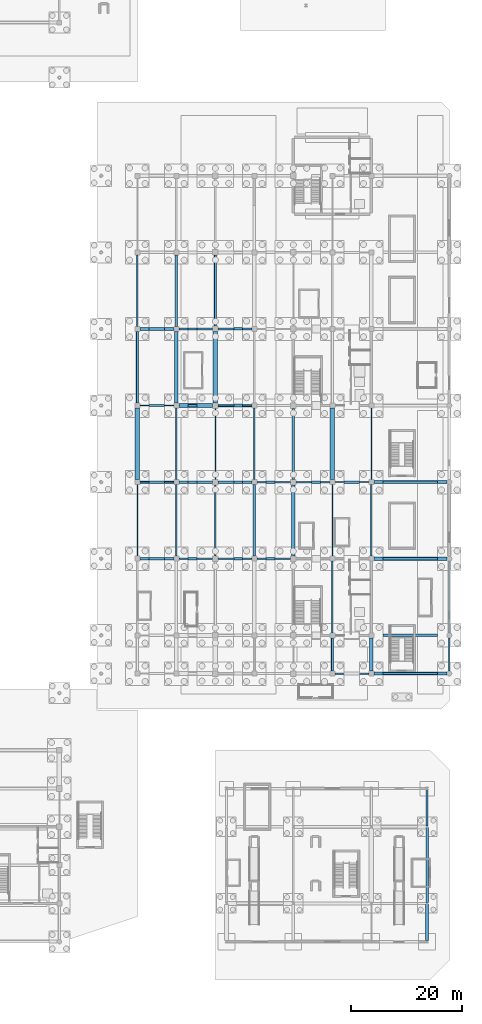
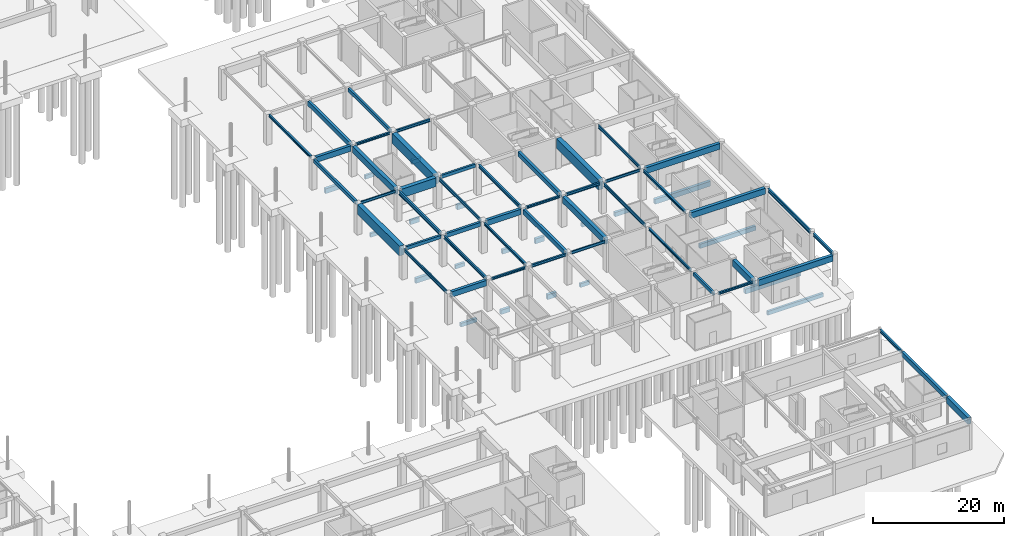
# One storey, part 33 of 62: 68 beams.
"""IFC4 building model written with IfcOpenShell, lengths in metres."""

from ifc_helpers import new_model, si_unit, direction, frame, origin, origin_2d, place, context, subcontext, project, spatial, rectangle, i_section, extrude, material, material_profile, profile_set, type_object, element, save


model = new_model("IFC4")

# Units and contexts
model_context = context("Model", 3, precision=1e-05, world=origin(), true_north=direction((0.0, 1.0)))
body_context = subcontext(model_context, "Body", "Model", "MODEL_VIEW")
ifc_project = project(units=[si_unit("LENGTHUNIT", "METRE"), si_unit("AREAUNIT", "SQUARE_METRE"), si_unit("VOLUMEUNIT", "CUBIC_METRE"), si_unit("PLANEANGLEUNIT", "RADIAN"), si_unit("MASSUNIT", "GRAM", prefix="KILO")], contexts=[model_context])

# Site, building, storey
site_placement = place(None, origin())
site = spatial("IfcSite", under=ifc_project, at=site_placement, CompositionType="ELEMENT")
building_placement = place(site_placement, origin())
building = spatial("IfcBuilding", under=site, at=building_placement, Name="Linyun Crest Stadium", CompositionType="ELEMENT")
storey_placement = place(building_placement, frame((0.0, 0.0, -6.0)))
storey = spatial("IfcBuildingStorey", under=building, at=storey_placement, Name="B1", CompositionType="ELEMENT", Elevation=-6.0)

# Beams
ifc_material_1 = material(Name="Concrete C40", Category="concrete")
ifc_material_profile_1 = material_profile(ifc_material_1, rectangle(XDim=0.35009765625, YDim=0.60009765625, at=origin_2d()), Name="RCB 600x350")
ifc_profile_set_1 = profile_set([ifc_material_profile_1], Name="Concrete C40")
beam_type_1 = type_object("IfcBeamType", Name="B01", PredefinedType="BEAM", material=ifc_profile_set_1)
beam_1_placement = place(storey_placement, frame((42.449951171875, -11.625, 5.419921875), z_axis=(1.0, 0.0, 0.0), x_axis=(0.0, 1.0, 0.0)))
element("IfcBeam", 1, at=beam_1_placement, inside=storey, type_object=beam_type_1, Name="Frame beam B01 B1 396", PredefinedType="BEAM", context=body_context, shape_type="SweptSolid", body=[
    extrude(rectangle(XDim=0.35009765625, YDim=0.60009765625, at=origin_2d()), origin(), (0.0, 0.0, 1.0), 6.10009765625),
])
beam_2_placement = place(storey_placement, frame((56.5, 2.125, 5.419921875), z_axis=(1.0, 0.0, 0.0), x_axis=(0.0, 1.0, 0.0)))
element("IfcBeam", 2, at=beam_2_placement, inside=storey, type_object=beam_type_1, Name="Frame beam B01 B1 405", PredefinedType="BEAM", context=body_context, shape_type="SweptSolid", body=[
    extrude(rectangle(XDim=0.35009765625, YDim=0.60009765625, at=origin_2d()), origin(), (0.0, 0.0, 1.0), 6.050048828125),
])
ifc_material_2 = material(Name="Concrete C40", Category="concrete")
ifc_material_profile_2 = material_profile(ifc_material_2, rectangle(XDim=0.35009765625, YDim=0.64990234375, at=origin_2d()), Name="RCB 650x350")
ifc_profile_set_2 = profile_set([ifc_material_profile_2], Name="Concrete C40")
beam_type_2 = type_object("IfcBeamType", Name="B02", PredefinedType="BEAM", material=ifc_profile_set_2)
beam_3_placement = place(storey_placement, frame((42.0, 2.574951171875, 5.39501953125), z_axis=(0.0, 1.0, 0.0), x_axis=(-1.0, 0.0, 0.0)))
element("IfcBeam", 3, at=beam_3_placement, inside=storey, type_object=beam_type_2, Name="Frame beam B02 B1 429", PredefinedType="BEAM", context=body_context, shape_type="SweptSolid", body=[
    extrude(rectangle(XDim=0.35009765625, YDim=0.64990234375, at=origin_2d()), origin(), (0.0, 0.0, 1.0), 12.85009765625),
])
beam_4_placement = place(storey_placement, frame((56.0, 16.375, 5.39501953125), z_axis=(0.0, 1.0, 0.0), x_axis=(-1.0, 0.0, 0.0)))
element("IfcBeam", 4, at=beam_4_placement, inside=storey, type_object=beam_type_2, Name="Frame beam B02 B1 444", PredefinedType="BEAM", context=body_context, shape_type="SweptSolid", body=[
    extrude(rectangle(XDim=0.35009765625, YDim=0.64990234375, at=origin_2d()), origin(), (0.0, 0.0, 1.0), 12.75),
])
beam_5_placement = place(storey_placement, frame((77.0, -45.550048828125, 5.39501953125), z_axis=(0.0, 1.0, 0.0), x_axis=(-1.0, 0.0, 0.0)))
element("IfcBeam", 5, at=beam_5_placement, inside=storey, type_object=beam_type_2, Name="Frame beam B02 B1 457", PredefinedType="BEAM", context=body_context, shape_type="SweptSolid", body=[
    extrude(rectangle(XDim=0.35009765625, YDim=0.64990234375, at=origin_2d()), origin(), (0.0, 0.0, 1.0), 5.97509765625),
])
ifc_material_3 = material(Name="Concrete C40", Category="concrete")
ifc_material_profile_3 = material_profile(ifc_material_3, rectangle(XDim=0.39990234375, YDim=0.75, at=origin_2d()), Name="RCB 750x400")
ifc_profile_set_3 = profile_set([ifc_material_profile_3], Name="Concrete C40")
beam_type_3 = type_object("IfcBeamType", Name="B03", PredefinedType="BEAM", material=ifc_profile_set_3)
beam_6_placement = place(storey_placement, frame((49.449951171875, -11.625, 5.344970703125), z_axis=(1.0, 0.0, 0.0), x_axis=(0.0, 1.0, 0.0)))
element("IfcBeam", 6, at=beam_6_placement, inside=storey, type_object=beam_type_3, Name="Frame beam B03 B1 397", PredefinedType="BEAM", context=body_context, shape_type="SweptSolid", body=[
    extrude(rectangle(XDim=0.39990234375, YDim=0.75, at=origin_2d()), origin(), (0.0, 0.0, 1.0), 6.050048828125),
])
ifc_material_4 = material(Name="Concrete C40", Category="concrete")
ifc_material_profile_4 = material_profile(ifc_material_4, rectangle(XDim=0.449951171875, YDim=0.85009765625, at=origin_2d()), Name="RCB 850x450")
ifc_profile_set_4 = profile_set([ifc_material_profile_4], Name="Concrete C40")
beam_type_4 = type_object("IfcBeamType", Name="B04", PredefinedType="BEAM", material=ifc_profile_set_4)
for number, where, z_axis, x_axis, name in (
    (7, (49.0, 16.324951171875, 5.294921875), (0.0, 1.0, 0.0), (-1.0, 0.0, 0.0), "Frame beam B04 B1 437"),
    (8, (63.0, -24.925048828125, 5.294921875), (0.0, 1.0, 0.0), (-1.0, 0.0, 0.0), "Frame beam B04 B1 448"),
):
    element("IfcBeam", number, at=place(storey_placement, frame(where, z_axis=z_axis, x_axis=x_axis)), inside=storey, type_object=beam_type_4, Name=name, PredefinedType="BEAM", context=body_context, shape_type="SweptSolid", body=[
        extrude(rectangle(XDim=0.449951171875, YDim=0.85009765625, at=origin_2d()), origin(), (0.0, 0.0, 1.0), 12.85009765625),
    ])
beam_7_placement = place(storey_placement, frame((70.0, -11.125, 5.294921875), z_axis=(0.0, 1.0, 0.0), x_axis=(-1.0, 0.0, 0.0)))
element("IfcBeam", 9, at=beam_7_placement, inside=storey, type_object=beam_type_4, Name="Frame beam B04 B1 455", PredefinedType="BEAM", context=body_context, shape_type="SweptSolid", body=[
    extrude(rectangle(XDim=0.449951171875, YDim=0.85009765625, at=origin_2d()), origin(), (0.0, 0.0, 1.0), 12.75),
])
beam_8_placement = place(storey_placement, frame((94.0, -87.125, 5.35498046875), z_axis=(0.0, 1.0, 0.0), x_axis=(-1.0, 0.0, 0.0)))
element("IfcBeam", 10, at=beam_8_placement, inside=storey, type_object=beam_type_4, Name="Frame beam B04 B1 1033", PredefinedType="BEAM", context=body_context, shape_type="SweptSolid", body=[
    extrude(rectangle(XDim=0.449951171875, YDim=0.85009765625, at=origin_2d()), origin(), (0.0, 0.0, 1.0), 13.5),
])
ifc_material_5 = material(Name="Concrete C40", Category="concrete")
ifc_material_profile_5 = material_profile(ifc_material_5, rectangle(XDim=0.5, YDim=1.0, at=origin_2d()), Name="RCB 1000x500")
ifc_profile_set_5 = profile_set([ifc_material_profile_5], Name="Concrete C40")
beam_type_5 = type_object("IfcBeamType", Name="B05", PredefinedType="BEAM", material=ifc_profile_set_5)
beam_9_placement = place(storey_placement, frame((42.449951171875, -25.375, 5.219970703125), z_axis=(1.0, 0.0, 0.0), x_axis=(0.0, 1.0, 0.0)))
element("IfcBeam", 11, at=beam_9_placement, inside=storey, type_object=beam_type_5, Name="Frame beam B05 B1 391", PredefinedType="BEAM", context=body_context, shape_type="SweptSolid", body=[
    extrude(rectangle(XDim=0.5, YDim=1.0, at=origin_2d()), origin(), (0.0, 0.0, 1.0), 6.10009765625),
])
beam_10_placement = place(storey_placement, frame((56.5, -11.625, 5.219970703125), z_axis=(1.0, 0.0, 0.0), x_axis=(0.0, 1.0, 0.0)))
element("IfcBeam", 12, at=beam_10_placement, inside=storey, type_object=beam_type_5, Name="Frame beam B05 B1 398", PredefinedType="BEAM", context=body_context, shape_type="SweptSolid", body=[
    extrude(rectangle(XDim=0.5, YDim=1.0, at=origin_2d()), origin(), (0.0, 0.0, 1.0), 6.050048828125),
])
beam_11_placement = place(storey_placement, frame((42.449951171875, 15.875, 5.219970703125), z_axis=(1.0, 0.0, 0.0), x_axis=(0.0, 1.0, 0.0)))
element("IfcBeam", 13, at=beam_11_placement, inside=storey, type_object=beam_type_5, Name="Frame beam B05 B1 408", PredefinedType="BEAM", context=body_context, shape_type="SweptSolid", body=[
    extrude(rectangle(XDim=0.5, YDim=1.0, at=origin_2d()), origin(), (0.0, 0.0, 1.0), 6.10009765625),
])
ifc_material_6 = material(Name="Steel Q355C", Category="steel")
ifc_material_profile_6 = material_profile(ifc_material_6, i_section(OverallWidth=0.300048828125, OverallDepth=0.389892578125, WebThickness=0.010009765625, FlangeThickness=0.01611328125, at=origin_2d()), Name="HM 390x300")
ifc_profile_set_6 = profile_set([ifc_material_profile_6], Name="Steel Q355C")
beam_type_6 = type_object("IfcBeamType", Name="B06", PredefinedType="BEAM", material=ifc_profile_set_6)
beam_12_placement = place(storey_placement, frame((77.449951171875, -46.0, 5.52490234375), z_axis=(1.0, 0.0, 0.0), x_axis=(0.0, 1.0, 0.0)))
element("IfcBeam", 14, at=beam_12_placement, inside=storey, type_object=beam_type_6, Name="Frame beam B06 B1 385", PredefinedType="BEAM", context=body_context, shape_type="SweptSolid", body=[
    extrude(i_section(OverallWidth=0.300048828125, OverallDepth=0.389892578125, WebThickness=0.010009765625, FlangeThickness=0.01611328125, at=origin_2d()), origin(), (0.0, 0.0, 1.0), 6.10009765625),
])
for number, where, z_axis, x_axis, name in (
    (15, (49.449951171875, -25.375, 5.52490234375), (1.0, 0.0, 0.0), (0.0, 1.0, 0.0), "Frame beam B06 B1 392"),
    (16, (63.449951171875, -11.625, 5.52490234375), (1.0, 0.0, 0.0), (0.0, 1.0, 0.0), "Frame beam B06 B1 399"),
    (17, (49.449951171875, 15.875, 5.52490234375), (1.0, 0.0, 0.0), (0.0, 1.0, 0.0), "Frame beam B06 B1 409"),
):
    element("IfcBeam", number, at=place(storey_placement, frame(where, z_axis=z_axis, x_axis=x_axis)), inside=storey, type_object=beam_type_6, Name=name, PredefinedType="BEAM", context=body_context, shape_type="SweptSolid", body=[
        extrude(i_section(OverallWidth=0.300048828125, OverallDepth=0.389892578125, WebThickness=0.010009765625, FlangeThickness=0.01611328125, at=origin_2d()), origin(), (0.0, 0.0, 1.0), 6.050048828125),
    ])
ifc_material_7 = material(Name="Steel Q355C", Category="steel")
ifc_material_profile_7 = material_profile(ifc_material_7, i_section(OverallWidth=0.300048828125, OverallDepth=0.43994140625, WebThickness=0.010986328125, FlangeThickness=0.01806640625, at=origin_2d()), Name="HM 440x300")
ifc_profile_set_7 = profile_set([ifc_material_profile_7], Name="Steel Q355C")
beam_type_7 = type_object("IfcBeamType", Name="B07", PredefinedType="BEAM", material=ifc_profile_set_7)
beam_13_placement = place(storey_placement, frame((42.0, 16.324951171875, 5.5), z_axis=(0.0, 1.0, 0.0), x_axis=(-1.0, 0.0, 0.0)))
element("IfcBeam", 18, at=beam_13_placement, inside=storey, type_object=beam_type_7, Name="Frame beam B07 B1 430", PredefinedType="BEAM", context=body_context, shape_type="SweptSolid", body=[
    extrude(i_section(OverallWidth=0.300048828125, OverallDepth=0.43994140625, WebThickness=0.010986328125, FlangeThickness=0.01806640625, at=origin_2d()), origin(), (0.0, 0.0, 1.0), 12.85009765625),
])
beam_14_placement = place(storey_placement, frame((56.0, -24.875, 5.5), z_axis=(0.0, 1.0, 0.0), x_axis=(-1.0, 0.0, 0.0)))
element("IfcBeam", 19, at=beam_14_placement, inside=storey, type_object=beam_type_7, Name="Frame beam B07 B1 441", PredefinedType="BEAM", context=body_context, shape_type="SweptSolid", body=[
    extrude(i_section(OverallWidth=0.300048828125, OverallDepth=0.43994140625, WebThickness=0.010986328125, FlangeThickness=0.01806640625, at=origin_2d()), origin(), (0.0, 0.0, 1.0), 12.75),
])
for number, where, z_axis, x_axis, name in (
    (20, (77.0, -38.675048828125, 5.5), (0.0, 1.0, 0.0), (-1.0, 0.0, 0.0), "Frame beam B07 B1 458"),
    (21, (84.0, -24.925048828125, 5.5), (0.0, 1.0, 0.0), (-1.0, 0.0, 0.0), "Frame beam B07 B1 465"),
):
    element("IfcBeam", number, at=place(storey_placement, frame(where, z_axis=z_axis, x_axis=x_axis)), inside=storey, type_object=beam_type_7, Name=name, PredefinedType="BEAM", context=body_context, shape_type="SweptSolid", body=[
        extrude(i_section(OverallWidth=0.300048828125, OverallDepth=0.43994140625, WebThickness=0.010986328125, FlangeThickness=0.01806640625, at=origin_2d()), origin(), (0.0, 0.0, 1.0), 12.85009765625),
    ])
ifc_material_8 = material(Name="Steel Q355C", Category="steel")
ifc_material_profile_8 = material_profile(ifc_material_8, i_section(OverallWidth=0.300048828125, OverallDepth=0.488037109375, WebThickness=0.010986328125, FlangeThickness=0.01806640625, at=origin_2d()), Name="HM 488x300")
ifc_profile_set_8 = profile_set([ifc_material_profile_8], Name="Steel Q355C")
beam_type_8 = type_object("IfcBeamType", Name="B08", PredefinedType="BEAM", material=ifc_profile_set_8)
for number, where, z_axis, x_axis, name in (
    (22, (56.5, -25.375, 5.47607421875), (1.0, 0.0, 0.0), (0.0, 1.0, 0.0), "Frame beam B08 B1 393"),
    (23, (70.5, -11.625, 5.47607421875), (1.0, 0.0, 0.0), (0.0, 1.0, 0.0), "Frame beam B08 B1 400"),
    (24, (56.5, 15.875, 5.47607421875), (1.0, 0.0, 0.0), (0.0, 1.0, 0.0), "Frame beam B08 B1 410"),
):
    element("IfcBeam", number, at=place(storey_placement, frame(where, z_axis=z_axis, x_axis=x_axis)), inside=storey, type_object=beam_type_8, Name=name, PredefinedType="BEAM", context=body_context, shape_type="SweptSolid", body=[
        extrude(i_section(OverallWidth=0.300048828125, OverallDepth=0.488037109375, WebThickness=0.010986328125, FlangeThickness=0.01806640625, at=origin_2d()), origin(), (0.0, 0.0, 1.0), 6.050048828125),
    ])
ifc_material_9 = material(Name="Steel Q355C", Category="steel")
ifc_material_profile_9 = material_profile(ifc_material_9, i_section(OverallWidth=0.300048828125, OverallDepth=0.587890625, WebThickness=0.011962890625, FlangeThickness=0.02001953125, at=origin_2d()), Name="HM 588x300")
ifc_profile_set_9 = profile_set([ifc_material_profile_9], Name="Steel Q355C")
beam_type_9 = type_object("IfcBeamType", Name="B09", PredefinedType="BEAM", material=ifc_profile_set_9)
for number, where, z_axis, x_axis, name in (
    (25, (49.0, -24.925048828125, 5.426025390625), (0.0, 1.0, 0.0), (-1.0, 0.0, 0.0), "Frame beam B09 B1 434"),
    (26, (63.0, -11.175048828125, 5.426025390625), (0.0, 1.0, 0.0), (-1.0, 0.0, 0.0), "Frame beam B09 B1 449"),
):
    element("IfcBeam", number, at=place(storey_placement, frame(where, z_axis=z_axis, x_axis=x_axis)), inside=storey, type_object=beam_type_9, Name=name, PredefinedType="BEAM", context=body_context, shape_type="SweptSolid", body=[
        extrude(i_section(OverallWidth=0.300048828125, OverallDepth=0.587890625, WebThickness=0.011962890625, FlangeThickness=0.02001953125, at=origin_2d()), origin(), (0.0, 0.0, 1.0), 12.85009765625),
    ])
beam_15_placement = place(storey_placement, frame((98.0, -45.550048828125, 5.426025390625), z_axis=(0.0, 1.0, 0.0), x_axis=(-1.0, 0.0, 0.0)))
element("IfcBeam", 27, at=beam_15_placement, inside=storey, type_object=beam_type_9, Name="Frame beam B09 B1 468", PredefinedType="BEAM", context=body_context, shape_type="SweptSolid", body=[
    extrude(i_section(OverallWidth=0.300048828125, OverallDepth=0.587890625, WebThickness=0.011962890625, FlangeThickness=0.02001953125, at=origin_2d()), origin(), (0.0, 0.0, 1.0), 5.97509765625),
])
beam_16_placement = place(storey_placement, frame((94.0, -73.375, 5.486083984375), z_axis=(0.0, 1.0, 0.0), x_axis=(-1.0, 0.0, 0.0)))
element("IfcBeam", 28, at=beam_16_placement, inside=storey, type_object=beam_type_9, Name="Frame beam B09 B1 1034", PredefinedType="BEAM", context=body_context, shape_type="SweptSolid", body=[
    extrude(i_section(OverallWidth=0.300048828125, OverallDepth=0.587890625, WebThickness=0.011962890625, FlangeThickness=0.02001953125, at=origin_2d()), origin(), (0.0, 0.0, 1.0), 6.550048828125),
])
ifc_material_10 = material(Name="Steel Q355C", Category="steel")
ifc_material_profile_10 = material_profile(ifc_material_10, i_section(OverallWidth=0.199951171875, OverallDepth=0.5, WebThickness=0.010009765625, FlangeThickness=0.01611328125, at=origin_2d()), Name="HN 500x200")
ifc_profile_set_10 = profile_set([ifc_material_profile_10], Name="Steel Q355C")
beam_type_10 = type_object("IfcBeamType", Name="B10", PredefinedType="BEAM", material=ifc_profile_set_10)
beam_17_placement = place(storey_placement, frame((63.449951171875, -25.375, 5.469970703125), z_axis=(1.0, 0.0, 0.0), x_axis=(0.0, 1.0, 0.0)))
element("IfcBeam", 29, at=beam_17_placement, inside=storey, type_object=beam_type_10, Name="Frame beam B10 B1 394", PredefinedType="BEAM", context=body_context, shape_type="SweptSolid", body=[
    extrude(i_section(OverallWidth=0.199951171875, OverallDepth=0.5, WebThickness=0.010009765625, FlangeThickness=0.01611328125, at=origin_2d()), origin(), (0.0, 0.0, 1.0), 6.050048828125),
])
for number, where, z_axis, x_axis, name in (
    (30, (77.449951171875, -11.625, 5.469970703125), (1.0, 0.0, 0.0), (0.0, 1.0, 0.0), "Frame beam B10 B1 401"),
    (31, (42.449951171875, 2.125, 5.469970703125), (1.0, 0.0, 0.0), (0.0, 1.0, 0.0), "Frame beam B10 B1 403"),
):
    element("IfcBeam", number, at=place(storey_placement, frame(where, z_axis=z_axis, x_axis=x_axis)), inside=storey, type_object=beam_type_10, Name=name, PredefinedType="BEAM", context=body_context, shape_type="SweptSolid", body=[
        extrude(i_section(OverallWidth=0.199951171875, OverallDepth=0.5, WebThickness=0.010009765625, FlangeThickness=0.01611328125, at=origin_2d()), origin(), (0.0, 0.0, 1.0), 6.10009765625),
    ])
ifc_material_11 = material(Name="Steel Q355C", Category="steel")
ifc_material_profile_11 = material_profile(ifc_material_11, i_section(OverallWidth=0.199951171875, OverallDepth=0.60009765625, WebThickness=0.010986328125, FlangeThickness=0.01708984375, at=origin_2d()), Name="HN 600x200")
ifc_profile_set_11 = profile_set([ifc_material_profile_11], Name="Steel Q355C")
beam_type_11 = type_object("IfcBeamType", Name="B11", PredefinedType="BEAM", material=ifc_profile_set_11)
beam_18_placement = place(storey_placement, frame((42.0, -24.925048828125, 5.419921875), z_axis=(0.0, 1.0, 0.0), x_axis=(-1.0, 0.0, 0.0)))
element("IfcBeam", 32, at=beam_18_placement, inside=storey, type_object=beam_type_11, Name="Frame beam B11 B1 427", PredefinedType="BEAM", context=body_context, shape_type="SweptSolid", body=[
    extrude(i_section(OverallWidth=0.199951171875, OverallDepth=0.60009765625, WebThickness=0.010986328125, FlangeThickness=0.01708984375, at=origin_2d()), origin(), (0.0, 0.0, 1.0), 12.85009765625),
])
beam_19_placement = place(storey_placement, frame((56.0, -11.125, 5.419921875), z_axis=(0.0, 1.0, 0.0), x_axis=(-1.0, 0.0, 0.0)))
element("IfcBeam", 33, at=beam_19_placement, inside=storey, type_object=beam_type_11, Name="Frame beam B11 B1 442", PredefinedType="BEAM", context=body_context, shape_type="SweptSolid", body=[
    extrude(i_section(OverallWidth=0.199951171875, OverallDepth=0.60009765625, WebThickness=0.010986328125, FlangeThickness=0.01708984375, at=origin_2d()), origin(), (0.0, 0.0, 1.0), 12.75),
])
for number, where, z_axis, x_axis, name in (
    (34, (77.0, -24.925048828125, 5.419921875), (0.0, 1.0, 0.0), (-1.0, 0.0, 0.0), "Frame beam B11 B1 459"),
    (35, (84.0, -11.175048828125, 5.419921875), (0.0, 1.0, 0.0), (-1.0, 0.0, 0.0), "Frame beam B11 B1 466"),
):
    element("IfcBeam", number, at=place(storey_placement, frame(where, z_axis=z_axis, x_axis=x_axis)), inside=storey, type_object=beam_type_11, Name=name, PredefinedType="BEAM", context=body_context, shape_type="SweptSolid", body=[
        extrude(i_section(OverallWidth=0.199951171875, OverallDepth=0.60009765625, WebThickness=0.010986328125, FlangeThickness=0.01708984375, at=origin_2d()), origin(), (0.0, 0.0, 1.0), 12.85009765625),
    ])
ifc_material_12 = material(Name="Steel Q355C", Category="steel")
ifc_material_profile_12 = material_profile(ifc_material_12, i_section(OverallWidth=0.300048828125, OverallDepth=0.699951171875, WebThickness=0.012939453125, FlangeThickness=0.02392578125, at=origin_2d()), Name="HN 700x300")
ifc_profile_set_12 = profile_set([ifc_material_profile_12], Name="Steel Q355C")
beam_type_12 = type_object("IfcBeamType", Name="B12", PredefinedType="BEAM", material=ifc_profile_set_12)
for number, where, z_axis, x_axis, name in (
    (36, (49.0, -11.175048828125, 5.3701171875), (0.0, 1.0, 0.0), (-1.0, 0.0, 0.0), "Frame beam B12 B1 435"),
    (37, (98.0, -38.675048828125, 5.3701171875), (0.0, 1.0, 0.0), (-1.0, 0.0, 0.0), "Frame beam B12 B1 469"),
):
    element("IfcBeam", number, at=place(storey_placement, frame(where, z_axis=z_axis, x_axis=x_axis)), inside=storey, type_object=beam_type_12, Name=name, PredefinedType="BEAM", context=body_context, shape_type="SweptSolid", body=[
        extrude(i_section(OverallWidth=0.300048828125, OverallDepth=0.699951171875, WebThickness=0.012939453125, FlangeThickness=0.02392578125, at=origin_2d()), origin(), (0.0, 0.0, 1.0), 12.85009765625),
    ])
ifc_material_13 = material(Name="Concrete C50", Category="concrete")
ifc_material_profile_13 = material_profile(ifc_material_13, rectangle(XDim=0.699951171875, YDim=1.60009765625, at=origin_2d()), Name="RCB 1600x700")
ifc_profile_set_13 = profile_set([ifc_material_profile_13], Name="Concrete C50")
beam_type_13 = type_object("IfcBeamType", Name="B13", PredefinedType="BEAM", material=ifc_profile_set_13)
beam_20_placement = place(storey_placement, frame((49.449951171875, 2.125, 4.919921875), z_axis=(1.0, 0.0, 0.0), x_axis=(0.0, 1.0, 0.0)))
element("IfcBeam", 38, at=beam_20_placement, inside=storey, type_object=beam_type_13, Name="Frame beam B13 B1 404", PredefinedType="BEAM", context=body_context, shape_type="SweptSolid", body=[
    extrude(rectangle(XDim=0.699951171875, YDim=1.60009765625, at=origin_2d()), origin(), (0.0, 0.0, 1.0), 6.050048828125),
])
ifc_material_14 = material(Name="Concrete C50", Category="concrete")
ifc_material_profile_14 = material_profile(ifc_material_14, rectangle(XDim=0.800048828125, YDim=1.800048828125, at=origin_2d()), Name="RCB 1800x800")
ifc_profile_set_14 = profile_set([ifc_material_profile_14], Name="Concrete C50")
beam_type_14 = type_object("IfcBeamType", Name="B14", PredefinedType="BEAM", material=ifc_profile_set_14)
beam_21_placement = place(storey_placement, frame((42.0, -11.175048828125, 4.820068359375), z_axis=(0.0, 1.0, 0.0), x_axis=(-1.0, 0.0, 0.0)))
element("IfcBeam", 39, at=beam_21_placement, inside=storey, type_object=beam_type_14, Name="Frame beam B14 B1 428", PredefinedType="BEAM", context=body_context, shape_type="SweptSolid", body=[
    extrude(rectangle(XDim=0.800048828125, YDim=1.800048828125, at=origin_2d()), origin(), (0.0, 0.0, 1.0), 12.85009765625),
])
beam_22_placement = place(storey_placement, frame((56.0, 2.625, 4.820068359375), z_axis=(0.0, 1.0, 0.0), x_axis=(-1.0, 0.0, 0.0)))
element("IfcBeam", 40, at=beam_22_placement, inside=storey, type_object=beam_type_14, Name="Frame beam B14 B1 443", PredefinedType="BEAM", context=body_context, shape_type="SweptSolid", body=[
    extrude(rectangle(XDim=0.800048828125, YDim=1.800048828125, at=origin_2d()), origin(), (0.0, 0.0, 1.0), 12.75),
])
beam_23_placement = place(storey_placement, frame((77.0, -11.175048828125, 4.820068359375), z_axis=(0.0, 1.0, 0.0), x_axis=(-1.0, 0.0, 0.0)))
element("IfcBeam", 41, at=beam_23_placement, inside=storey, type_object=beam_type_14, Name="Frame beam B14 B1 460", PredefinedType="BEAM", context=body_context, shape_type="SweptSolid", body=[
    extrude(rectangle(XDim=0.800048828125, YDim=1.800048828125, at=origin_2d()), origin(), (0.0, 0.0, 1.0), 12.85009765625),
])
ifc_material_15 = material(Name="Concrete C40", Category="concrete")
ifc_material_profile_15 = material_profile(ifc_material_15, rectangle(XDim=0.39990234375, YDim=0.699951171875, at=origin_2d()), Name="RCB 700x400")
ifc_profile_set_15 = profile_set([ifc_material_profile_15], Name="Concrete C40")
beam_type_15 = type_object("IfcBeamType", Name="GB01", PredefinedType="BEAM", material=ifc_profile_set_15)
beam_24_placement = place(storey_placement, frame((86.10400390625, -46.0, -1.10009765625), z_axis=(1.0, 0.0, 0.0), x_axis=(0.0, 1.0, 0.0)))
element("IfcBeam", 42, at=beam_24_placement, inside=storey, type_object=beam_type_15, Name="Ground beam GB01 55", PredefinedType="BEAM", context=body_context, shape_type="SweptSolid", body=[
    extrude(rectangle(XDim=0.39990234375, YDim=0.699951171875, at=origin_2d()), origin(), (0.0, 0.0, 1.0), 9.7919921875),
])
beam_25_placement = place(storey_placement, frame((44.10400390625, -25.375, -1.10009765625), z_axis=(1.0, 0.0, 0.0), x_axis=(0.0, 1.0, 0.0)))
element("IfcBeam", 43, at=beam_25_placement, inside=storey, type_object=beam_type_15, Name="Ground beam GB01 61", PredefinedType="BEAM", context=body_context, shape_type="SweptSolid", body=[
    extrude(rectangle(XDim=0.39990234375, YDim=0.699951171875, at=origin_2d()), origin(), (0.0, 0.0, 1.0), 2.7919921875),
])
for number, where, z_axis, x_axis, name in (
    (44, (65.10400390625, -25.375, -1.10009765625), (1.0, 0.0, 0.0), (0.0, 1.0, 0.0), "Ground beam GB01 64"),
    (45, (51.10400390625, -11.625, -1.10009765625), (1.0, 0.0, 0.0), (0.0, 1.0, 0.0), "Ground beam GB01 67"),
    (46, (73.303955078125, -11.625, -1.10009765625), (1.0, 0.0, 0.0), (0.0, 1.0, 0.0), "Ground beam GB01 70"),
):
    element("IfcBeam", number, at=place(storey_placement, frame(where, z_axis=z_axis, x_axis=x_axis)), inside=storey, type_object=beam_type_15, Name=name, PredefinedType="BEAM", context=body_context, shape_type="SweptSolid", body=[
        extrude(rectangle(XDim=0.39990234375, YDim=0.699951171875, at=origin_2d()), origin(), (0.0, 0.0, 1.0), 1.592041015625),
    ])
beam_26_placement = place(storey_placement, frame((44.10400390625, 2.125, -1.10009765625), z_axis=(1.0, 0.0, 0.0), x_axis=(0.0, 1.0, 0.0)))
element("IfcBeam", 47, at=beam_26_placement, inside=storey, type_object=beam_type_15, Name="Ground beam GB01 73", PredefinedType="BEAM", context=body_context, shape_type="SweptSolid", body=[
    extrude(rectangle(XDim=0.39990234375, YDim=0.699951171875, at=origin_2d()), origin(), (0.0, 0.0, 1.0), 2.7919921875),
])
beam_27_placement = place(storey_placement, frame((51.10400390625, 15.875, -1.10009765625), z_axis=(1.0, 0.0, 0.0), x_axis=(0.0, 1.0, 0.0)))
element("IfcBeam", 48, at=beam_27_placement, inside=storey, type_object=beam_type_15, Name="Ground beam GB01 79", PredefinedType="BEAM", context=body_context, shape_type="SweptSolid", body=[
    extrude(rectangle(XDim=0.39990234375, YDim=0.699951171875, at=origin_2d()), origin(), (0.0, 0.0, 1.0), 1.592041015625),
])
ifc_material_16 = material(Name="Concrete C40", Category="concrete")
ifc_material_profile_16 = material_profile(ifc_material_16, rectangle(XDim=0.449951171875, YDim=0.800048828125, at=origin_2d()), Name="RCB 800x450")
ifc_profile_set_16 = profile_set([ifc_material_profile_16], Name="Concrete C40")
beam_type_16 = type_object("IfcBeamType", Name="GB02", PredefinedType="BEAM", material=ifc_profile_set_16)
beam_28_placement = place(storey_placement, frame((51.10400390625, -25.375, -1.14990234375), z_axis=(1.0, 0.0, 0.0), x_axis=(0.0, 1.0, 0.0)))
element("IfcBeam", 49, at=beam_28_placement, inside=storey, type_object=beam_type_16, Name="Ground beam GB02 62", PredefinedType="BEAM", context=body_context, shape_type="SweptSolid", body=[
    extrude(rectangle(XDim=0.449951171875, YDim=0.800048828125, at=origin_2d()), origin(), (0.0, 0.0, 1.0), 1.592041015625),
])
beam_29_placement = place(storey_placement, frame((86.10400390625, -25.375, -1.14990234375), z_axis=(1.0, 0.0, 0.0), x_axis=(0.0, 1.0, 0.0)))
element("IfcBeam", 50, at=beam_29_placement, inside=storey, type_object=beam_type_16, Name="Ground beam GB02 65", PredefinedType="BEAM", context=body_context, shape_type="SweptSolid", body=[
    extrude(rectangle(XDim=0.449951171875, YDim=0.800048828125, at=origin_2d()), origin(), (0.0, 0.0, 1.0), 9.7919921875),
])
beam_30_placement = place(storey_placement, frame((59.303955078125, -11.625, -1.14990234375), z_axis=(1.0, 0.0, 0.0), x_axis=(0.0, 1.0, 0.0)))
element("IfcBeam", 51, at=beam_30_placement, inside=storey, type_object=beam_type_16, Name="Ground beam GB02 68", PredefinedType="BEAM", context=body_context, shape_type="SweptSolid", body=[
    extrude(rectangle(XDim=0.449951171875, YDim=0.800048828125, at=origin_2d()), origin(), (0.0, 0.0, 1.0), 1.592041015625),
])
beam_31_placement = place(storey_placement, frame((79.10400390625, -11.625, -1.14990234375), z_axis=(1.0, 0.0, 0.0), x_axis=(0.0, 1.0, 0.0)))
element("IfcBeam", 52, at=beam_31_placement, inside=storey, type_object=beam_type_16, Name="Ground beam GB02 71", PredefinedType="BEAM", context=body_context, shape_type="SweptSolid", body=[
    extrude(rectangle(XDim=0.449951171875, YDim=0.800048828125, at=origin_2d()), origin(), (0.0, 0.0, 1.0), 2.7919921875),
])
for number, where, z_axis, x_axis, name in (
    (53, (51.10400390625, 2.125, -1.14990234375), (1.0, 0.0, 0.0), (0.0, 1.0, 0.0), "Ground beam GB02 74"),
    (54, (59.303955078125, 15.875, -1.14990234375), (1.0, 0.0, 0.0), (0.0, 1.0, 0.0), "Ground beam GB02 80"),
):
    element("IfcBeam", number, at=place(storey_placement, frame(where, z_axis=z_axis, x_axis=x_axis)), inside=storey, type_object=beam_type_16, Name=name, PredefinedType="BEAM", context=body_context, shape_type="SweptSolid", body=[
        extrude(rectangle(XDim=0.449951171875, YDim=0.800048828125, at=origin_2d()), origin(), (0.0, 0.0, 1.0), 1.592041015625),
    ])
ifc_material_17 = material(Name="Concrete C40", Category="concrete")
ifc_material_profile_17 = material_profile(ifc_material_17, rectangle(XDim=0.5, YDim=0.89990234375, at=origin_2d()), Name="RCB 900x500")
ifc_profile_set_17 = profile_set([ifc_material_profile_17], Name="Concrete C40")
beam_type_17 = type_object("IfcBeamType", Name="GB03", PredefinedType="BEAM", material=ifc_profile_set_17)
beam_32_placement = place(storey_placement, frame((86.10400390625, -39.125, -1.199951171875), z_axis=(1.0, 0.0, 0.0), x_axis=(0.0, 1.0, 0.0)))
element("IfcBeam", 55, at=beam_32_placement, inside=storey, type_object=beam_type_17, Name="Ground beam GB03 60", PredefinedType="BEAM", context=body_context, shape_type="SweptSolid", body=[
    extrude(rectangle(XDim=0.5, YDim=0.89990234375, at=origin_2d()), origin(), (0.0, 0.0, 1.0), 9.7919921875),
])
beam_33_placement = place(storey_placement, frame((59.303955078125, -25.375, -1.199951171875), z_axis=(1.0, 0.0, 0.0), x_axis=(0.0, 1.0, 0.0)))
element("IfcBeam", 56, at=beam_33_placement, inside=storey, type_object=beam_type_17, Name="Ground beam GB03 63", PredefinedType="BEAM", context=body_context, shape_type="SweptSolid", body=[
    extrude(rectangle(XDim=0.5, YDim=0.89990234375, at=origin_2d()), origin(), (0.0, 0.0, 1.0), 1.592041015625),
])
beam_34_placement = place(storey_placement, frame((44.10400390625, -11.625, -1.199951171875), z_axis=(1.0, 0.0, 0.0), x_axis=(0.0, 1.0, 0.0)))
element("IfcBeam", 57, at=beam_34_placement, inside=storey, type_object=beam_type_17, Name="Ground beam GB03 66", PredefinedType="BEAM", context=body_context, shape_type="SweptSolid", body=[
    extrude(rectangle(XDim=0.5, YDim=0.89990234375, at=origin_2d()), origin(), (0.0, 0.0, 1.0), 2.7919921875),
])
beam_35_placement = place(storey_placement, frame((65.10400390625, -11.625, -1.199951171875), z_axis=(1.0, 0.0, 0.0), x_axis=(0.0, 1.0, 0.0)))
element("IfcBeam", 58, at=beam_35_placement, inside=storey, type_object=beam_type_17, Name="Ground beam GB03 69", PredefinedType="BEAM", context=body_context, shape_type="SweptSolid", body=[
    extrude(rectangle(XDim=0.5, YDim=0.89990234375, at=origin_2d()), origin(), (0.0, 0.0, 1.0), 1.592041015625),
])
beam_36_placement = place(storey_placement, frame((86.10400390625, -11.625, -1.199951171875), z_axis=(1.0, 0.0, 0.0), x_axis=(0.0, 1.0, 0.0)))
element("IfcBeam", 59, at=beam_36_placement, inside=storey, type_object=beam_type_17, Name="Ground beam GB03 72", PredefinedType="BEAM", context=body_context, shape_type="SweptSolid", body=[
    extrude(rectangle(XDim=0.5, YDim=0.89990234375, at=origin_2d()), origin(), (0.0, 0.0, 1.0), 9.7919921875),
])
beam_37_placement = place(storey_placement, frame((59.303955078125, 2.125, -1.199951171875), z_axis=(1.0, 0.0, 0.0), x_axis=(0.0, 1.0, 0.0)))
element("IfcBeam", 60, at=beam_37_placement, inside=storey, type_object=beam_type_17, Name="Ground beam GB03 75", PredefinedType="BEAM", context=body_context, shape_type="SweptSolid", body=[
    extrude(rectangle(XDim=0.5, YDim=0.89990234375, at=origin_2d()), origin(), (0.0, 0.0, 1.0), 1.592041015625),
])
beam_38_placement = place(storey_placement, frame((44.10400390625, 15.875, -1.199951171875), z_axis=(1.0, 0.0, 0.0), x_axis=(0.0, 1.0, 0.0)))
element("IfcBeam", 61, at=beam_38_placement, inside=storey, type_object=beam_type_17, Name="Ground beam GB03 78", PredefinedType="BEAM", context=body_context, shape_type="SweptSolid", body=[
    extrude(rectangle(XDim=0.5, YDim=0.89990234375, at=origin_2d()), origin(), (0.0, 0.0, 1.0), 2.7919921875),
])
ifc_material_18 = material(Name="Concrete C50", Category="concrete")
ifc_material_profile_18 = material_profile(ifc_material_18, rectangle(XDim=0.550048828125, YDim=1.10009765625, at=origin_2d()), Name="RCB 1100x550")
ifc_profile_set_18 = profile_set([ifc_material_profile_18], Name="Concrete C50")
beam_type_18 = type_object("IfcBeamType", Name="TB01", PredefinedType="USERDEFINED", material=ifc_profile_set_18)
for number, where, z_axis, x_axis, name in (
    (62, (84.449951171875, -46.0, 5.169921875), (1.0, 0.0, 0.0), (0.0, 1.0, 0.0), "Frame beam TB01 B1 386"),
    (63, (84.449951171875, -25.375, 5.169921875), (1.0, 0.0, 0.0), (0.0, 1.0, 0.0), "Frame beam TB01 B1 395"),
    (64, (84.449951171875, -11.625, 5.169921875), (1.0, 0.0, 0.0), (0.0, 1.0, 0.0), "Frame beam TB01 B1 402"),
):
    element("IfcBeam", number, at=place(storey_placement, frame(where, z_axis=z_axis, x_axis=x_axis)), inside=storey, type_object=beam_type_18, Name=name, ObjectType="GIRDER", PredefinedType="USERDEFINED", context=body_context, shape_type="SweptSolid", body=[
        extrude(rectangle(XDim=0.550048828125, YDim=1.10009765625, at=origin_2d()), origin(), (0.0, 0.0, 1.0), 13.10009765625),
    ])
ifc_material_19 = material(Name="Concrete C50", Category="concrete")
ifc_material_profile_19 = material_profile(ifc_material_19, rectangle(XDim=0.60009765625, YDim=1.199951171875, at=origin_2d()), Name="RCB 1200x600")
ifc_profile_set_19 = profile_set([ifc_material_profile_19], Name="Concrete C50")
beam_type_19 = type_object("IfcBeamType", Name="TB02", PredefinedType="USERDEFINED", material=ifc_profile_set_19)
beam_39_placement = place(storey_placement, frame((49.0, 2.574951171875, 5.1201171875), z_axis=(0.0, 1.0, 0.0), x_axis=(-1.0, 0.0, 0.0)))
element("IfcBeam", 65, at=beam_39_placement, inside=storey, type_object=beam_type_19, Name="Frame beam TB02 B1 436", ObjectType="GIRDER", PredefinedType="USERDEFINED", context=body_context, shape_type="SweptSolid", body=[
    extrude(rectangle(XDim=0.60009765625, YDim=1.199951171875, at=origin_2d()), origin(), (0.0, 0.0, 1.0), 12.85009765625),
])
beam_40_placement = place(storey_placement, frame((70.0, -24.875, 5.1201171875), z_axis=(0.0, 1.0, 0.0), x_axis=(-1.0, 0.0, 0.0)))
element("IfcBeam", 66, at=beam_40_placement, inside=storey, type_object=beam_type_19, Name="Frame beam TB02 B1 454", ObjectType="GIRDER", PredefinedType="USERDEFINED", context=body_context, shape_type="SweptSolid", body=[
    extrude(rectangle(XDim=0.60009765625, YDim=1.199951171875, at=origin_2d()), origin(), (0.0, 0.0, 1.0), 12.75),
])
beam_41_placement = place(storey_placement, frame((84.0, -45.550048828125, 5.1201171875), z_axis=(0.0, 1.0, 0.0), x_axis=(-1.0, 0.0, 0.0)))
element("IfcBeam", 67, at=beam_41_placement, inside=storey, type_object=beam_type_19, Name="Frame beam TB02 B1 464", ObjectType="GIRDER", PredefinedType="USERDEFINED", context=body_context, shape_type="SweptSolid", body=[
    extrude(rectangle(XDim=0.60009765625, YDim=1.199951171875, at=origin_2d()), origin(), (0.0, 0.0, 1.0), 5.97509765625),
])
beam_42_placement = place(storey_placement, frame((94.0, -93.925048828125, 5.179931640625), z_axis=(0.0, 1.0, 0.0), x_axis=(-1.0, 0.0, 0.0)))
element("IfcBeam", 68, at=beam_42_placement, inside=storey, type_object=beam_type_19, Name="Frame beam TB02 B1 1032", ObjectType="GIRDER", PredefinedType="USERDEFINED", context=body_context, shape_type="SweptSolid", body=[
    extrude(rectangle(XDim=0.60009765625, YDim=1.199951171875, at=origin_2d()), origin(), (0.0, 0.0, 1.0), 6.550048828125),
])

save(model, "model.ifc")
